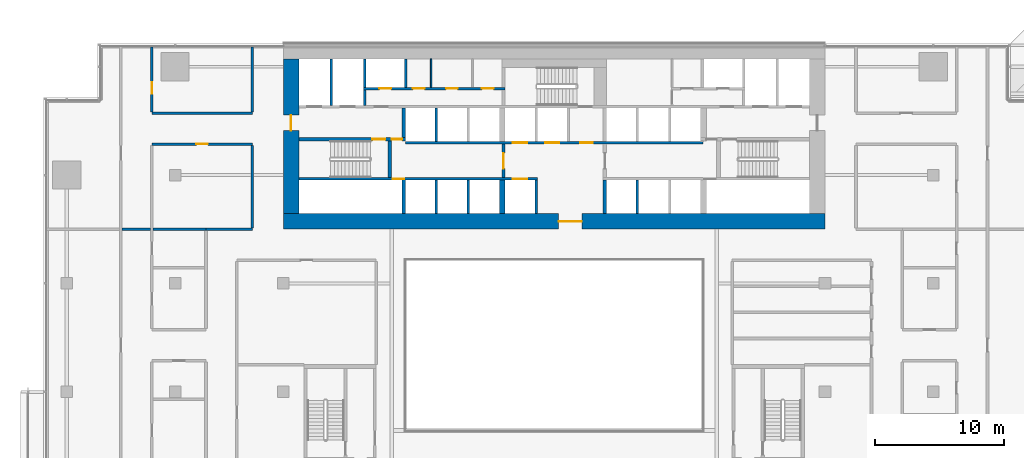
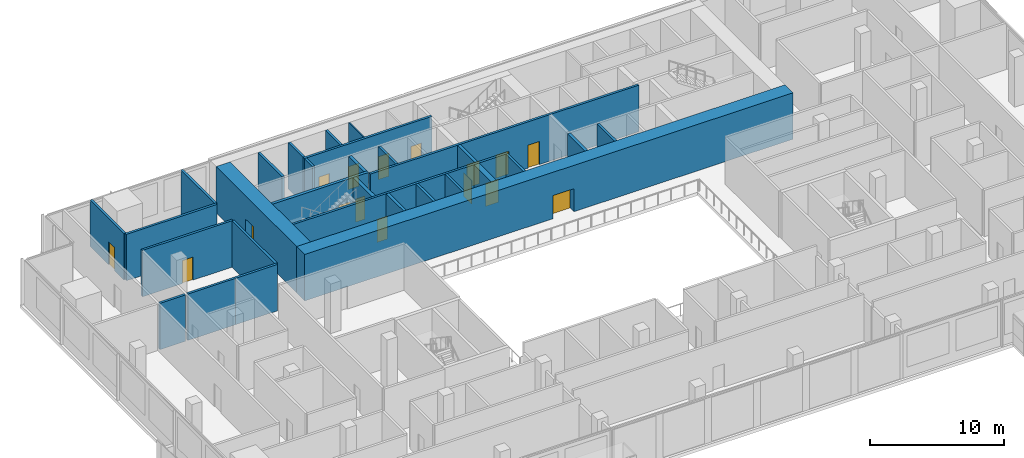
# One storey, part 16 of 23: 30 walls, 16 doors, 16 openings.
"""IFC4 building model written with IfcOpenShell, lengths in metres."""

from ifc_helpers import new_model, si_unit, direction, frame, frame_2d, origin, place, context, subcontext, project, spatial, rectangle, extrude, material, layer, layer_set, type_object, element, fill, save


model = new_model("IFC4")

# Units and contexts
model_context = context("Model", 3, precision=1e-05, world=origin(), true_north=direction((0.0, 1.0)))
body_context = subcontext(model_context, "Body", "Model", "MODEL_VIEW")
ifc_project = project(units=[si_unit("LENGTHUNIT", "METRE"), si_unit("AREAUNIT", "SQUARE_METRE"), si_unit("VOLUMEUNIT", "CUBIC_METRE"), si_unit("PLANEANGLEUNIT", "RADIAN"), si_unit("MASSUNIT", "GRAM", prefix="KILO")], contexts=[model_context])

# Site, building, storey
site_placement = place(None, origin())
site = spatial("IfcSite", under=ifc_project, at=site_placement, CompositionType="ELEMENT")
building_placement = place(site_placement, origin())
building = spatial("IfcBuilding", under=site, at=building_placement, Name="Saffron Gate Tower", CompositionType="ELEMENT")
storey_placement = place(building_placement, frame((0.0, 0.0, 32.699951171875)))
storey = spatial("IfcBuildingStorey", under=building, at=storey_placement, Name="L06", CompositionType="ELEMENT", Elevation=32.699951171875)

# Wall, opening, door
ifc_material_1 = material(Name="Concrete C70", Category="concrete")
ifc_layer_1 = layer(ifc_material_1, 1.199951171875)
ifc_layer_set_1 = layer_set([ifc_layer_1], Name="CW1 RC core wall 1200 C70")
wall_type_1 = type_object("IfcWallType", Name="CW1 RC core wall 1200 C70", PredefinedType="SOLIDWALL", material=ifc_layer_set_1)
wall_1_placement = place(storey_placement, frame((66.60009765625, 61.800048828125, 0.0), z_axis=(0.0, 0.0, 1.0), x_axis=(1.0, 0.0, 0.0)))
wall_1 = element("IfcWall", 1, at=wall_1_placement, inside=storey, type_object=wall_type_1, Name="Wall CW1-L06-1", PredefinedType="SOLIDWALL", context=body_context, shape_type="SweptSolid", body=[
    extrude(rectangle(XDim=42.0, YDim=1.199951171875, at=frame_2d((21.0, 0.0))), origin(), (0.0, 0.0, 1.0), 4.219970703125),
])
opening_1_placement = place(wall_1_placement, frame((21.35009765625, 0.0, 0.0)))
opening_1 = element("IfcOpeningElement", 2, at=opening_1_placement, cuts=wall_1, Name="Opening CR-09", PredefinedType="OPENING", context=body_context, shape_type="SweptSolid", body=[
    extrude(rectangle(XDim=1.800048828125, YDim=2.10009765625, at=frame_2d((0.89990234375, 1.050048828125))), frame((0.0, 0.60986328125, 0.0), z_axis=(0.0, -1.0, 0.0), x_axis=(1.0, 0.0, 0.0)), (0.0, 0.0, 1.0), 1.219970703125),
])
ifc_material_2 = material(Name="Steel fire door set", Category="steel")
door_type_1 = type_object("IfcDoorType", Name="CD1 Core entrance door 1800x2100 EI 120", OperationType="NOTDEFINED", PredefinedType="DOOR", material=ifc_material_2)
door_1_placement = place(opening_1_placement, origin())
door_1 = element("IfcDoor", 3, at=door_1_placement, inside=storey, type_object=door_type_1, Name="DOOR CR-09", OperationType="DOUBLE_DOOR_SINGLE_SWING", OverallHeight=2.10009765625, OverallWidth=1.800048828125, PredefinedType="DOOR", context=body_context, shape_type="SweptSolid", body=[
    extrude(rectangle(XDim=1.800048828125, YDim=2.10009765625, at=frame_2d((0.89990234375, 1.050048828125))), frame((0.0, 0.02490234375, 0.0), z_axis=(0.0, -1.0, 0.0), x_axis=(1.0, 0.0, 0.0)), (0.0, 0.0, 1.0), 0.050048828125),
])
fill(opening_1, door_1)

wall_2_placement = place(storey_placement, frame((67.199951171875, 62.39990234375, 0.0), z_axis=(0.0, 0.0, 1.0), x_axis=(0.0, 1.0, 0.0)))
wall_2 = element("IfcWall", 4, at=wall_2_placement, inside=storey, type_object=wall_type_1, Name="Wall CW1-L06-3", PredefinedType="SOLIDWALL", context=body_context, shape_type="SweptSolid", body=[
    extrude(rectangle(XDim=12.0, YDim=1.199951171875, at=frame_2d((6.0, 0.0))), origin(), (0.0, 0.0, 1.0), 4.219970703125),
])
opening_2_placement = place(wall_2_placement, frame((6.449951171875, 0.0, 0.0)))
opening_2 = element("IfcOpeningElement", 5, at=opening_2_placement, cuts=wall_2, Name="Opening CR-10", PredefinedType="OPENING", context=body_context, shape_type="SweptSolid", body=[
    extrude(rectangle(XDim=1.199951171875, YDim=2.10009765625, at=frame_2d((0.60009765625, 1.050048828125))), frame((0.0, 0.60986328125, 0.0), z_axis=(0.0, -1.0, 0.0), x_axis=(1.0, 0.0, 0.0)), (0.0, 0.0, 1.0), 1.219970703125),
])
door_type_2 = type_object("IfcDoorType", Name="CD7 Core entrance door 1200x2100 EI 120", OperationType="NOTDEFINED", PredefinedType="DOOR", material=ifc_material_2)
door_2_placement = place(opening_2_placement, origin())
door_2 = element("IfcDoor", 6, at=door_2_placement, inside=storey, type_object=door_type_2, Name="DOOR CR-10", OperationType="SINGLE_SWING_LEFT", OverallHeight=2.10009765625, OverallWidth=1.199951171875, PredefinedType="DOOR", context=body_context, shape_type="SweptSolid", body=[
    extrude(rectangle(XDim=1.199951171875, YDim=2.10009765625, at=frame_2d((0.60009765625, 1.050048828125))), frame((0.0, 0.02490234375, 0.0), z_axis=(0.0, -1.0, 0.0), x_axis=(1.0, 0.0, 0.0)), (0.0, 0.0, 1.0), 0.050048828125),
])
fill(opening_2, door_2)

# Walls
ifc_layer_2 = layer(ifc_material_1, 0.25)
ifc_layer_set_2 = layer_set([ifc_layer_2], Name="CW2 RC core wall 250 C70")
wall_type_2 = type_object("IfcWallType", Name="CW2 RC core wall 250 C70", PredefinedType="SOLIDWALL", material=ifc_layer_set_2)
for number, where, z_axis, x_axis, name in (
    (7, (75.925048828125, 62.39990234375, 0.0), (0.0, 0.0, 1.0), (0.0, 1.0, 0.0), "Wall CW2-L06-5"),
    (8, (91.52490234375, 62.39990234375, 0.0), (0.0, 0.0, 1.0), (0.0, 1.0, 0.0), "Wall CW2-L06-10"),
):
    element("IfcWall", number, at=place(storey_placement, frame(where, z_axis=z_axis, x_axis=x_axis)), inside=storey, type_object=wall_type_2, Name=name, PredefinedType="SOLIDWALL", context=body_context, shape_type="SweptSolid", body=[
        extrude(rectangle(XDim=2.60009765625, YDim=0.25, at=frame_2d((1.300048828125, 0.0))), origin(), (0.0, 0.0, 1.0), 4.219970703125),
    ])

# Wall, opening, door
wall_3_placement = place(storey_placement, frame((83.675048828125, 65.199951171875, 0.0), z_axis=(0.0, 0.0, 1.0), x_axis=(0.0, 1.0, 0.0)))
wall_3 = element("IfcWall", 9, at=wall_3_placement, inside=storey, type_object=wall_type_2, Name="Wall CW2-L06-17", PredefinedType="SOLIDWALL", context=body_context, shape_type="SweptSolid", body=[
    extrude(rectangle(XDim=2.60009765625, YDim=0.25, at=frame_2d((1.300048828125, 0.0))), origin(), (0.0, 0.0, 1.0), 4.219970703125),
])
opening_3_placement = place(wall_3_placement, frame((0.699951171875, 0.0, 0.0)))
opening_3 = element("IfcOpeningElement", 10, at=opening_3_placement, cuts=wall_3, Name="Opening CR-07", PredefinedType="OPENING", context=body_context, shape_type="SweptSolid", body=[
    extrude(rectangle(XDim=1.199951171875, YDim=2.10009765625, at=frame_2d((0.60009765625, 1.050048828125))), frame((0.0, 0.135009765625, 0.0), z_axis=(0.0, -1.0, 0.0), x_axis=(1.0, 0.0, 0.0)), (0.0, 0.0, 1.0), 0.27001953125),
])
door_type_3 = type_object("IfcDoorType", Name="CD3 Lobby door 1200x2100 EI 120", OperationType="NOTDEFINED", PredefinedType="DOOR", material=ifc_material_2)
door_3_placement = place(opening_3_placement, origin())
door_3 = element("IfcDoor", 11, at=door_3_placement, inside=storey, type_object=door_type_3, Name="DOOR CR-07", OperationType="SINGLE_SWING_RIGHT", OverallHeight=2.10009765625, OverallWidth=1.199951171875, PredefinedType="DOOR", context=body_context, shape_type="SweptSolid", body=[
    extrude(rectangle(XDim=1.199951171875, YDim=2.10009765625, at=frame_2d((0.60009765625, 1.050048828125))), frame((0.0, 0.02490234375, 0.0), z_axis=(0.0, -1.0, 0.0), x_axis=(1.0, 0.0, 0.0)), (0.0, 0.0, 1.0), 0.050048828125),
])
fill(opening_3, door_3)

# Wall, openings, doors
wall_4_placement = place(storey_placement, frame((67.800048828125, 68.175048828125, 0.0), z_axis=(0.0, 0.0, 1.0), x_axis=(1.0, 0.0, 0.0)))
wall_4 = element("IfcWall", 12, at=wall_4_placement, inside=storey, type_object=wall_type_2, Name="Wall CW2-L06-30", PredefinedType="SOLIDWALL", context=body_context, shape_type="SweptSolid", body=[
    extrude(rectangle(XDim=8.25, YDim=0.25, at=frame_2d((4.125, 0.0))), origin(), (0.0, 0.0, 1.0), 4.219970703125),
])
opening_4_placement = place(wall_4_placement, frame((5.699951171875, 0.0, 0.0)))
opening_4 = element("IfcOpeningElement", 13, at=opening_4_placement, cuts=wall_4, Name="Opening CR-15", PredefinedType="OPENING", context=body_context, shape_type="SweptSolid", body=[
    extrude(rectangle(XDim=1.0, YDim=2.10009765625, at=frame_2d((0.5, 1.050048828125))), frame((0.0, 0.135009765625, 0.0), z_axis=(0.0, -1.0, 0.0), x_axis=(1.0, 0.0, 0.0)), (0.0, 0.0, 1.0), 0.27001953125),
])
opening_5_placement = place(wall_4_placement, frame((7.199951171875, 0.0, 0.0)))
opening_5 = element("IfcOpeningElement", 14, at=opening_5_placement, cuts=wall_4, Name="Opening CR-06", PredefinedType="OPENING", context=body_context, shape_type="SweptSolid", body=[
    extrude(rectangle(XDim=0.800048828125, YDim=2.10009765625, at=frame_2d((0.39990234375, 1.050048828125))), frame((0.0, 0.135009765625, 0.0), z_axis=(0.0, -1.0, 0.0), x_axis=(1.0, 0.0, 0.0)), (0.0, 0.0, 1.0), 0.27001953125),
])
door_type_4 = type_object("IfcDoorType", Name="CD5 Stair door 1000x2100 EI 120", OperationType="NOTDEFINED", PredefinedType="DOOR", material=ifc_material_2)
door_4_placement = place(opening_4_placement, origin())
door_4 = element("IfcDoor", 15, at=door_4_placement, inside=storey, type_object=door_type_4, Name="DOOR CR-15", OperationType="SINGLE_SWING_RIGHT", OverallHeight=2.10009765625, OverallWidth=1.0, PredefinedType="DOOR", context=body_context, shape_type="SweptSolid", body=[
    extrude(rectangle(XDim=1.0, YDim=2.10009765625, at=frame_2d((0.5, 1.050048828125))), frame((0.0, 0.02490234375, 0.0), z_axis=(0.0, -1.0, 0.0), x_axis=(1.0, 0.0, 0.0)), (0.0, 0.0, 1.0), 0.050048828125),
])
fill(opening_4, door_4)
door_type_5 = type_object("IfcDoorType", Name="CD6 Lobby door 800x2100 EI 120", OperationType="NOTDEFINED", PredefinedType="DOOR", material=ifc_material_2)
door_5_placement = place(opening_5_placement, origin())
door_5 = element("IfcDoor", 16, at=door_5_placement, inside=storey, type_object=door_type_5, Name="DOOR CR-06", OperationType="SINGLE_SWING_LEFT", OverallHeight=2.10009765625, OverallWidth=0.800048828125, PredefinedType="DOOR", context=body_context, shape_type="SweptSolid", body=[
    extrude(rectangle(XDim=0.800048828125, YDim=2.10009765625, at=frame_2d((0.39990234375, 1.050048828125))), frame((0.0, 0.02490234375, 0.0), z_axis=(0.0, -1.0, 0.0), x_axis=(1.0, 0.0, 0.0)), (0.0, 0.0, 1.0), 0.050048828125),
])
fill(opening_5, door_5)

# Walls
wall_5_placement = place(storey_placement, frame((75.925048828125, 68.300048828125, 0.0), z_axis=(0.0, 0.0, 1.0), x_axis=(0.0, 1.0, 0.0)))
element("IfcWall", 17, at=wall_5_placement, inside=storey, type_object=wall_type_2, Name="Wall CW2-L06-32", PredefinedType="SOLIDWALL", context=body_context, shape_type="SweptSolid", body=[
    extrude(rectangle(XDim=2.300048828125, YDim=0.25, at=frame_2d((1.14990234375, 0.0))), origin(), (0.0, 0.0, 1.0), 4.219970703125),
])
ifc_layer_3 = layer(ifc_material_1, 0.199951171875)
ifc_layer_set_3 = layer_set([ifc_layer_3], Name="CW3 RC core wall 200 C70")
wall_type_3 = type_object("IfcWallType", Name="CW3 RC core wall 200 C70", PredefinedType="SOLIDWALL", material=ifc_layer_set_3)
for number, where, z_axis, x_axis, name in (
    (18, (78.449951171875, 62.39990234375, 0.0), (0.0, 0.0, 1.0), (0.0, 1.0, 0.0), "Wall CW3-L06-6"),
    (19, (80.949951171875, 62.39990234375, 0.0), (0.0, 0.0, 1.0), (0.0, 1.0, 0.0), "Wall CW3-L06-7"),
    (20, (86.199951171875, 62.39990234375, 0.0), (0.0, 0.0, 1.0), (0.0, 1.0, 0.0), "Wall CW3-L06-9"),
    (21, (94.050048828125, 62.39990234375, 0.0), (0.0, 0.0, 1.0), (0.0, 1.0, 0.0), "Wall CW3-L06-11"),
):
    element("IfcWall", number, at=place(storey_placement, frame(where, z_axis=z_axis, x_axis=x_axis)), inside=storey, type_object=wall_type_3, Name=name, PredefinedType="SOLIDWALL", context=body_context, shape_type="SweptSolid", body=[
        extrude(rectangle(XDim=2.60009765625, YDim=0.199951171875, at=frame_2d((1.300048828125, 0.0))), origin(), (0.0, 0.0, 1.0), 4.219970703125),
    ])

# Wall, openings, doors
wall_6_placement = place(storey_placement, frame((67.800048828125, 65.10009765625, 0.0), z_axis=(0.0, 0.0, 1.0), x_axis=(1.0, 0.0, 0.0)))
wall_6 = element("IfcWall", 22, at=wall_6_placement, inside=storey, type_object=wall_type_3, Name="Wall CW3-L06-14", PredefinedType="SOLIDWALL", context=body_context, shape_type="SweptSolid", body=[
    extrude(rectangle(XDim=18.5, YDim=0.199951171875, at=frame_2d((9.25, 0.0))), origin(), (0.0, 0.0, 1.0), 4.219970703125),
])
opening_6_placement = place(wall_6_placement, frame((7.27001953125, 0.0, 0.0)))
opening_6 = element("IfcOpeningElement", 23, at=opening_6_placement, cuts=wall_6, Name="Opening CR-49", PredefinedType="OPENING", context=body_context, shape_type="SweptSolid", body=[
    extrude(rectangle(XDim=0.89990234375, YDim=2.10009765625, at=frame_2d((0.449951171875, 1.050048828125))), frame((0.0, 0.10986328125, 0.0), z_axis=(0.0, -1.0, 0.0), x_axis=(1.0, 0.0, 0.0)), (0.0, 0.0, 1.0), 0.219970703125),
])
opening_7_placement = place(wall_6_placement, frame((16.60009765625, 0.0, 0.0)))
opening_7 = element("IfcOpeningElement", 24, at=opening_7_placement, cuts=wall_6, Name="Opening LD-SL3", PredefinedType="OPENING", context=body_context, shape_type="SweptSolid", body=[
    extrude(rectangle(XDim=1.10009765625, YDim=2.10009765625, at=frame_2d((0.550048828125, 1.050048828125))), frame((0.0, 0.10986328125, 0.0), z_axis=(0.0, -1.0, 0.0), x_axis=(1.0, 0.0, 0.0)), (0.0, 0.0, 1.0), 0.219970703125),
])
door_type_6 = type_object("IfcDoorType", Name="CD2 Riser door 900x2100 EI 60", OperationType="NOTDEFINED", PredefinedType="DOOR", material=ifc_material_2)
door_6_placement = place(opening_6_placement, origin())
door_6 = element("IfcDoor", 25, at=door_6_placement, inside=storey, type_object=door_type_6, Name="DOOR CR-49", OperationType="SINGLE_SWING_LEFT", OverallHeight=2.10009765625, OverallWidth=0.89990234375, PredefinedType="DOOR", context=body_context, shape_type="SweptSolid", body=[
    extrude(rectangle(XDim=0.89990234375, YDim=2.10009765625, at=frame_2d((0.449951171875, 1.050048828125))), frame((0.0, 0.02490234375, 0.0), z_axis=(0.0, -1.0, 0.0), x_axis=(1.0, 0.0, 0.0)), (0.0, 0.0, 1.0), 0.050048828125),
])
fill(opening_6, door_6)
ifc_material_3 = material(Name="Stainless steel landing door", Category="steel")
door_type_7 = type_object("IfcDoorType", Name="LD Lift landing door 1100x2100 EI 120", OperationType="SLIDING_TO_LEFT", PredefinedType="DOOR", material=ifc_material_3)
door_7_placement = place(opening_7_placement, origin())
door_7 = element("IfcDoor", 26, at=door_7_placement, inside=storey, type_object=door_type_7, Name="LANDING DOOR LD-SL3", OperationType="SLIDING_TO_LEFT", OverallHeight=2.10009765625, OverallWidth=1.10009765625, PredefinedType="DOOR", context=body_context, shape_type="SweptSolid", body=[
    extrude(rectangle(XDim=1.10009765625, YDim=2.10009765625, at=frame_2d((0.550048828125, 1.050048828125))), frame((0.0, 0.02490234375, 0.0), z_axis=(0.0, -1.0, 0.0), x_axis=(1.0, 0.0, 0.0)), (0.0, 0.0, 1.0), 0.050048828125),
])
fill(opening_7, door_7)

wall_7_placement = place(storey_placement, frame((76.050048828125, 67.89990234375, 0.0), z_axis=(0.0, 0.0, 1.0), x_axis=(1.0, 0.0, 0.0)))
wall_7 = element("IfcWall", 27, at=wall_7_placement, inside=storey, type_object=wall_type_3, Name="Wall CW3-L06-20", PredefinedType="SOLIDWALL", context=body_context, shape_type="SweptSolid", body=[
    extrude(rectangle(XDim=23.099853515625, YDim=0.199951171875, at=frame_2d((11.5498046875, 0.0))), origin(), (0.0, 0.0, 1.0), 4.219970703125),
])
opening_8_placement = place(wall_7_placement, frame((8.35009765625, 0.0, 0.0)))
opening_8 = element("IfcOpeningElement", 28, at=opening_8_placement, cuts=wall_7, Name="Opening LD-SL1", PredefinedType="OPENING", context=body_context, shape_type="SweptSolid", body=[
    extrude(rectangle(XDim=1.10009765625, YDim=2.10009765625, at=frame_2d((0.550048828125, 1.050048828125))), frame((0.0, 0.10986328125, 0.0), z_axis=(0.0, -1.0, 0.0), x_axis=(1.0, 0.0, 0.0)), (0.0, 0.0, 1.0), 0.219970703125),
])
opening_9_placement = place(wall_7_placement, frame((10.85009765625, 0.0, 0.0)))
opening_9 = element("IfcOpeningElement", 29, at=opening_9_placement, cuts=wall_7, Name="Opening LD-SL2", PredefinedType="OPENING", context=body_context, shape_type="SweptSolid", body=[
    extrude(rectangle(XDim=1.10009765625, YDim=2.10009765625, at=frame_2d((0.550048828125, 1.050048828125))), frame((0.0, 0.10986328125, 0.0), z_axis=(0.0, -1.0, 0.0), x_axis=(1.0, 0.0, 0.0)), (0.0, 0.0, 1.0), 0.219970703125),
])
opening_10_placement = place(wall_7_placement, frame((13.550048828125, 0.0, 0.0)))
opening_10 = element("IfcOpeningElement", 30, at=opening_10_placement, cuts=wall_7, Name="Opening CR-02", PredefinedType="OPENING", context=body_context, shape_type="SweptSolid", body=[
    extrude(rectangle(XDim=1.0, YDim=2.10009765625, at=frame_2d((0.5, 1.050048828125))), frame((0.0, 0.10986328125, 0.0), z_axis=(0.0, -1.0, 0.0), x_axis=(1.0, 0.0, 0.0)), (0.0, 0.0, 1.0), 0.219970703125),
])
door_type_8 = type_object("IfcDoorType", Name="CD4 Lobby door 1000x2100 EI 120", OperationType="NOTDEFINED", PredefinedType="DOOR", material=ifc_material_2)
door_8_placement = place(opening_10_placement, origin())
door_8 = element("IfcDoor", 31, at=door_8_placement, inside=storey, type_object=door_type_8, Name="DOOR CR-02", OperationType="SINGLE_SWING_LEFT", OverallHeight=2.10009765625, OverallWidth=1.0, PredefinedType="DOOR", context=body_context, shape_type="SweptSolid", body=[
    extrude(rectangle(XDim=1.0, YDim=2.10009765625, at=frame_2d((0.5, 1.050048828125))), frame((0.0, 0.02490234375, 0.0), z_axis=(0.0, -1.0, 0.0), x_axis=(1.0, 0.0, 0.0)), (0.0, 0.0, 1.0), 0.050048828125),
])
fill(opening_10, door_8)
door_9_placement = place(opening_8_placement, origin())
door_9 = element("IfcDoor", 32, at=door_9_placement, inside=storey, type_object=door_type_7, Name="LANDING DOOR LD-SL1", OperationType="SLIDING_TO_RIGHT", OverallHeight=2.10009765625, OverallWidth=1.10009765625, PredefinedType="DOOR", context=body_context, shape_type="SweptSolid", body=[
    extrude(rectangle(XDim=1.10009765625, YDim=2.10009765625, at=frame_2d((0.550048828125, 1.050048828125))), frame((0.0, 0.02490234375, 0.0), z_axis=(0.0, -1.0, 0.0), x_axis=(1.0, 0.0, 0.0)), (0.0, 0.0, 1.0), 0.050048828125),
])
fill(opening_8, door_9)
door_10_placement = place(opening_9_placement, origin())
door_10 = element("IfcDoor", 33, at=door_10_placement, inside=storey, type_object=door_type_7, Name="LANDING DOOR LD-SL2", OperationType="SLIDING_TO_RIGHT", OverallHeight=2.10009765625, OverallWidth=1.10009765625, PredefinedType="DOOR", context=body_context, shape_type="SweptSolid", body=[
    extrude(rectangle(XDim=1.10009765625, YDim=2.10009765625, at=frame_2d((0.550048828125, 1.050048828125))), frame((0.0, 0.02490234375, 0.0), z_axis=(0.0, -1.0, 0.0), x_axis=(1.0, 0.0, 0.0)), (0.0, 0.0, 1.0), 0.050048828125),
])
fill(opening_9, door_10)

# Walls
wall_8_placement = place(storey_placement, frame((78.449951171875, 68.0, 0.0), z_axis=(0.0, 0.0, 1.0), x_axis=(0.0, 1.0, 0.0)))
element("IfcWall", 34, at=wall_8_placement, inside=storey, type_object=wall_type_3, Name="Wall CW3-L06-21", PredefinedType="SOLIDWALL", context=body_context, shape_type="SweptSolid", body=[
    extrude(rectangle(XDim=2.60009765625, YDim=0.199951171875, at=frame_2d((1.300048828125, 0.0))), origin(), (0.0, 0.0, 1.0), 4.219970703125),
])
wall_9_placement = place(storey_placement, frame((70.300048828125, 70.800048828125, 0.0), z_axis=(0.0, 0.0, 1.0), x_axis=(0.0, 1.0, 0.0)))
element("IfcWall", 35, at=wall_9_placement, inside=storey, type_object=wall_type_3, Name="Wall CW3-L06-35", PredefinedType="SOLIDWALL", context=body_context, shape_type="SweptSolid", body=[
    extrude(rectangle(XDim=3.599853515625, YDim=0.199951171875, at=frame_2d((1.7998046875, 0.0))), origin(), (0.0, 0.0, 1.0), 4.219970703125),
])
wall_10_placement = place(storey_placement, frame((72.89990234375, 70.800048828125, 0.0), z_axis=(0.0, 0.0, 1.0), x_axis=(0.0, 1.0, 0.0)))
element("IfcWall", 36, at=wall_10_placement, inside=storey, type_object=wall_type_3, Name="Wall CW3-L06-36", PredefinedType="SOLIDWALL", context=body_context, shape_type="SweptSolid", body=[
    extrude(rectangle(XDim=1.199951171875, YDim=0.199951171875, at=frame_2d((0.60009765625, 0.0))), origin(), (0.0, 0.0, 1.0), 4.219970703125),
])

# Wall, openings, doors
wall_11_placement = place(storey_placement, frame((72.800048828125, 72.10009765625, 0.0), z_axis=(0.0, 0.0, 1.0), x_axis=(1.0, 0.0, 0.0)))
wall_11 = element("IfcWall", 37, at=wall_11_placement, inside=storey, type_object=wall_type_3, Name="Wall CW3-L06-42", PredefinedType="SOLIDWALL", context=body_context, shape_type="SweptSolid", body=[
    extrude(rectangle(XDim=11.0, YDim=0.199951171875, at=frame_2d((5.5, 0.0))), origin(), (0.0, 0.0, 1.0), 4.219970703125),
])
opening_11_placement = place(wall_11_placement, frame((1.25, 0.0, 0.0)))
opening_11 = element("IfcOpeningElement", 38, at=opening_11_placement, cuts=wall_11, Name="Opening CR-71", PredefinedType="OPENING", context=body_context, shape_type="SweptSolid", body=[
    extrude(rectangle(XDim=0.89990234375, YDim=2.10009765625, at=frame_2d((0.449951171875, 1.050048828125))), frame((0.0, 0.10986328125, 0.0), z_axis=(0.0, -1.0, 0.0), x_axis=(1.0, 0.0, 0.0)), (0.0, 0.0, 1.0), 0.219970703125),
])
opening_12_placement = place(wall_11_placement, frame((3.85009765625, 0.0, 0.0)))
opening_12 = element("IfcOpeningElement", 39, at=opening_12_placement, cuts=wall_11, Name="Opening CR-55", PredefinedType="OPENING", context=body_context, shape_type="SweptSolid", body=[
    extrude(rectangle(XDim=0.89990234375, YDim=2.10009765625, at=frame_2d((0.449951171875, 1.050048828125))), frame((0.0, 0.10986328125, 0.0), z_axis=(0.0, -1.0, 0.0), x_axis=(1.0, 0.0, 0.0)), (0.0, 0.0, 1.0), 0.219970703125),
])
opening_13_placement = place(wall_11_placement, frame((6.419921875, 0.0, 0.0)))
opening_13 = element("IfcOpeningElement", 40, at=opening_13_placement, cuts=wall_11, Name="Opening CR-58", PredefinedType="OPENING", context=body_context, shape_type="SweptSolid", body=[
    extrude(rectangle(XDim=0.89990234375, YDim=2.10009765625, at=frame_2d((0.449951171875, 1.050048828125))), frame((0.0, 0.10986328125, 0.0), z_axis=(0.0, -1.0, 0.0), x_axis=(1.0, 0.0, 0.0)), (0.0, 0.0, 1.0), 0.219970703125),
])
opening_14_placement = place(wall_11_placement, frame((9.195068359375, 0.0, 0.0)))
opening_14 = element("IfcOpeningElement", 41, at=opening_14_placement, cuts=wall_11, Name="Opening CR-59", PredefinedType="OPENING", context=body_context, shape_type="SweptSolid", body=[
    extrude(rectangle(XDim=0.89990234375, YDim=2.10009765625, at=frame_2d((0.449951171875, 1.050048828125))), frame((0.0, 0.10986328125, 0.0), z_axis=(0.0, -1.0, 0.0), x_axis=(1.0, 0.0, 0.0)), (0.0, 0.0, 1.0), 0.219970703125),
])
door_11_placement = place(opening_11_placement, origin())
door_11 = element("IfcDoor", 42, at=door_11_placement, inside=storey, type_object=door_type_6, Name="DOOR CR-71", OperationType="SINGLE_SWING_LEFT", OverallHeight=2.10009765625, OverallWidth=0.89990234375, PredefinedType="DOOR", context=body_context, shape_type="SweptSolid", body=[
    extrude(rectangle(XDim=0.89990234375, YDim=2.10009765625, at=frame_2d((0.449951171875, 1.050048828125))), frame((0.0, 0.02490234375, 0.0), z_axis=(0.0, -1.0, 0.0), x_axis=(1.0, 0.0, 0.0)), (0.0, 0.0, 1.0), 0.050048828125),
])
fill(opening_11, door_11)
door_type_9 = type_object("IfcDoorType", Name="CD9 Room door 900x2100 EI 60", OperationType="NOTDEFINED", PredefinedType="DOOR", material=ifc_material_2)
door_12_placement = place(opening_12_placement, origin())
door_12 = element("IfcDoor", 43, at=door_12_placement, inside=storey, type_object=door_type_9, Name="DOOR CR-55", OperationType="SINGLE_SWING_LEFT", OverallHeight=2.10009765625, OverallWidth=0.89990234375, PredefinedType="DOOR", context=body_context, shape_type="SweptSolid", body=[
    extrude(rectangle(XDim=0.89990234375, YDim=2.10009765625, at=frame_2d((0.449951171875, 1.050048828125))), frame((0.0, 0.02490234375, 0.0), z_axis=(0.0, -1.0, 0.0), x_axis=(1.0, 0.0, 0.0)), (0.0, 0.0, 1.0), 0.050048828125),
])
fill(opening_12, door_12)
door_13_placement = place(opening_13_placement, origin())
door_13 = element("IfcDoor", 44, at=door_13_placement, inside=storey, type_object=door_type_9, Name="DOOR CR-58", OperationType="SINGLE_SWING_LEFT", OverallHeight=2.10009765625, OverallWidth=0.89990234375, PredefinedType="DOOR", context=body_context, shape_type="SweptSolid", body=[
    extrude(rectangle(XDim=0.89990234375, YDim=2.10009765625, at=frame_2d((0.449951171875, 1.050048828125))), frame((0.0, 0.02490234375, 0.0), z_axis=(0.0, -1.0, 0.0), x_axis=(1.0, 0.0, 0.0)), (0.0, 0.0, 1.0), 0.050048828125),
])
fill(opening_13, door_13)
door_14_placement = place(opening_14_placement, origin())
door_14 = element("IfcDoor", 45, at=door_14_placement, inside=storey, type_object=door_type_9, Name="DOOR CR-59", OperationType="SINGLE_SWING_LEFT", OverallHeight=2.10009765625, OverallWidth=0.89990234375, PredefinedType="DOOR", context=body_context, shape_type="SweptSolid", body=[
    extrude(rectangle(XDim=0.89990234375, YDim=2.10009765625, at=frame_2d((0.449951171875, 1.050048828125))), frame((0.0, 0.02490234375, 0.0), z_axis=(0.0, -1.0, 0.0), x_axis=(1.0, 0.0, 0.0)), (0.0, 0.0, 1.0), 0.050048828125),
])
fill(opening_14, door_14)

# Walls
for number, where, z_axis, x_axis, name in (
    (46, (72.89990234375, 72.199951171875, 0.0), (0.0, 0.0, 1.0), (0.0, 1.0, 0.0), "Wall CW3-L06-44"),
    (47, (76.10009765625, 72.199951171875, 0.0), (0.0, 0.0, 1.0), (0.0, 1.0, 0.0), "Wall CW3-L06-45"),
):
    element("IfcWall", number, at=place(storey_placement, frame(where, z_axis=z_axis, x_axis=x_axis)), inside=storey, type_object=wall_type_3, Name=name, PredefinedType="SOLIDWALL", context=body_context, shape_type="SweptSolid", body=[
        extrude(rectangle(XDim=2.199951171875, YDim=0.199951171875, at=frame_2d((1.10009765625, 0.0))), origin(), (0.0, 0.0, 1.0), 4.219970703125),
    ])
ifc_layer_4 = layer(ifc_material_1, 0.449951171875)
ifc_layer_set_4 = layer_set([ifc_layer_4], Name="CW4 RC core wall 450 C70")
wall_type_4 = type_object("IfcWallType", Name="CW4 RC core wall 450 C70", PredefinedType="SOLIDWALL", material=ifc_layer_set_4)
wall_12_placement = place(storey_placement, frame((83.574951171875, 62.39990234375, 0.0), z_axis=(0.0, 0.0, 1.0), x_axis=(0.0, 1.0, 0.0)))
element("IfcWall", 48, at=wall_12_placement, inside=storey, type_object=wall_type_4, Name="Wall CW4-L06-8", PredefinedType="SOLIDWALL", context=body_context, shape_type="SweptSolid", body=[
    extrude(rectangle(XDim=2.60009765625, YDim=0.449951171875, at=frame_2d((1.300048828125, 0.0))), origin(), (0.0, 0.0, 1.0), 4.219970703125),
])
ifc_layer_5 = layer(ifc_material_1, 0.300048828125)
ifc_layer_set_5 = layer_set([ifc_layer_5], Name="CW5 RC core wall 300 C70")
wall_type_5 = type_object("IfcWallType", Name="CW5 RC core wall 300 C70", PredefinedType="SOLIDWALL", material=ifc_layer_set_5)
wall_13_placement = place(storey_placement, frame((74.85009765625, 65.199951171875, 0.0), z_axis=(0.0, 0.0, 1.0), x_axis=(0.0, 1.0, 0.0)))
element("IfcWall", 49, at=wall_13_placement, inside=storey, type_object=wall_type_5, Name="Wall CW5-L06-16", PredefinedType="SOLIDWALL", context=body_context, shape_type="SweptSolid", body=[
    extrude(rectangle(XDim=2.85009765625, YDim=0.300048828125, at=frame_2d((1.425048828125, 0.0))), origin(), (0.0, 0.0, 1.0), 4.219970703125),
])
ifc_material_4 = material(Name="Gypsum board partition on steel studs", Category="steel")
ifc_layer_6 = layer(ifc_material_4, 0.1201171875)
ifc_layer_set_6 = layer_set([ifc_layer_6], Name="CW8 Core partition 120")
wall_type_6 = type_object("IfcWallType", Name="CW8 Core partition 120", PredefinedType="PARTITIONING", material=ifc_layer_set_6)
wall_14_placement = place(storey_placement, frame((78.06005859375, 72.199951171875, 0.0), z_axis=(0.0, 0.0, 1.0), x_axis=(0.0, 1.0, 0.0)))
element("IfcWall", 50, at=wall_14_placement, inside=storey, type_object=wall_type_6, Name="Wall CW8-L06-46", PredefinedType="PARTITIONING", context=body_context, shape_type="SweptSolid", body=[
    extrude(rectangle(XDim=2.199951171875, YDim=0.1201171875, at=frame_2d((1.10009765625, 0.0))), origin(), (0.0, 0.0, 1.0), 4.219970703125),
])
ifc_material_5 = material(Name="Clay brick masonry, rendered", Category="masonry")
ifc_layer_7 = layer(ifc_material_5, 0.199951171875)
ifc_layer_set_7 = layer_set([ifc_layer_7], Name="PW3 Corridor wall 200")
wall_type_7 = type_object("IfcWallType", Name="PW3 Corridor wall 200", PredefinedType="PARTITIONING", material=ifc_layer_set_7)
wall_15_placement = place(storey_placement, frame((54.10009765625, 61.199951171875, 0.0), z_axis=(0.0, 0.0, 1.0), x_axis=(1.0, 0.0, 0.0)))
element("IfcWall", 51, at=wall_15_placement, inside=storey, type_object=wall_type_7, Name="Wall S2-40", PredefinedType="PARTITIONING", context=body_context, shape_type="SweptSolid", body=[
    extrude(rectangle(XDim=2.199951171875, YDim=0.199951171875, at=frame_2d((1.10009765625, 0.0))), origin(), (0.0, 0.0, 1.0), 4.219970703125),
])
wall_16_placement = place(storey_placement, frame((60.60009765625, 61.199951171875, 0.0), z_axis=(0.0, 0.0, 1.0), x_axis=(1.0, 0.0, 0.0)))
element("IfcWall", 52, at=wall_16_placement, inside=storey, type_object=wall_type_7, Name="Wall S2-41", PredefinedType="PARTITIONING", context=body_context, shape_type="SweptSolid", body=[
    extrude(rectangle(XDim=3.599853515625, YDim=0.199951171875, at=frame_2d((1.7998046875, 0.0))), origin(), (0.0, 0.0, 1.0), 4.219970703125),
])

# Wall, opening, door
wall_17_placement = place(storey_placement, frame((64.199951171875, 67.800048828125, 0.0), z_axis=(0.0, 0.0, 1.0), x_axis=(-1.0, 0.0, 0.0)))
wall_17 = element("IfcWall", 53, at=wall_17_placement, inside=storey, type_object=wall_type_7, Name="Wall S2-48", PredefinedType="PARTITIONING", context=body_context, shape_type="SweptSolid", body=[
    extrude(rectangle(XDim=7.800048828125, YDim=0.199951171875, at=frame_2d((3.89990234375, 0.0))), origin(), (0.0, 0.0, 1.0), 4.219970703125),
])
opening_15_placement = place(wall_17_placement, frame((3.449951171875, 0.0, 0.0)))
opening_15 = element("IfcOpeningElement", 54, at=opening_15_placement, cuts=wall_17, Name="Opening S2-22", PredefinedType="OPENING", context=body_context, shape_type="SweptSolid", body=[
    extrude(rectangle(XDim=0.89990234375, YDim=2.10009765625, at=frame_2d((0.449951171875, 1.050048828125))), frame((0.0, 0.10986328125, 0.0), z_axis=(0.0, -1.0, 0.0), x_axis=(1.0, 0.0, 0.0)), (0.0, 0.0, 1.0), 0.219970703125),
])
ifc_material_6 = material(Name="Timber door set", Category="wood")
door_type_10 = type_object("IfcDoorType", Name="RD1 Room door 900x2100", OperationType="NOTDEFINED", PredefinedType="DOOR", material=ifc_material_6)
door_15_placement = place(opening_15_placement, origin())
door_15 = element("IfcDoor", 55, at=door_15_placement, inside=storey, type_object=door_type_10, Name="Door S2-22", OperationType="SINGLE_SWING_RIGHT", OverallHeight=2.10009765625, OverallWidth=0.89990234375, PredefinedType="DOOR", context=body_context, shape_type="SweptSolid", body=[
    extrude(rectangle(XDim=0.89990234375, YDim=2.10009765625, at=frame_2d((0.449951171875, 1.050048828125))), frame((0.0, 0.02490234375, 0.0), z_axis=(0.0, -1.0, 0.0), x_axis=(1.0, 0.0, 0.0)), (0.0, 0.0, 1.0), 0.050048828125),
])
fill(opening_15, door_15)

# Wall
wall_18_placement = place(storey_placement, frame((56.39990234375, 70.199951171875, 0.0), z_axis=(0.0, 0.0, 1.0), x_axis=(1.0, 0.0, 0.0)))
element("IfcWall", 56, at=wall_18_placement, inside=storey, type_object=wall_type_7, Name="Wall S2-50", PredefinedType="PARTITIONING", context=body_context, shape_type="SweptSolid", body=[
    extrude(rectangle(XDim=7.800048828125, YDim=0.199951171875, at=frame_2d((3.89990234375, 0.0))), origin(), (0.0, 0.0, 1.0), 4.219970703125),
])

# Wall, opening, door
wall_19_placement = place(storey_placement, frame((56.39990234375, 75.320068359375, 0.0), z_axis=(0.0, 0.0, 1.0), x_axis=(0.0, -1.0, 0.0)))
wall_19 = element("IfcWall", 57, at=wall_19_placement, inside=storey, type_object=wall_type_7, Name="Wall S2-55", PredefinedType="PARTITIONING", context=body_context, shape_type="SweptSolid", body=[
    extrude(rectangle(XDim=5.02001953125, YDim=0.199951171875, at=frame_2d((2.510009765625, 0.0))), origin(), (0.0, 0.0, 1.0), 4.219970703125),
])
opening_16_placement = place(wall_19_placement, frame((2.719970703125, 0.0, 0.0)))
opening_16 = element("IfcOpeningElement", 58, at=opening_16_placement, cuts=wall_19, Name="Opening S2-23", PredefinedType="OPENING", context=body_context, shape_type="SweptSolid", body=[
    extrude(rectangle(XDim=0.89990234375, YDim=2.10009765625, at=frame_2d((0.449951171875, 1.050048828125))), frame((0.0, 0.10986328125, 0.0), z_axis=(0.0, -1.0, 0.0), x_axis=(1.0, 0.0, 0.0)), (0.0, 0.0, 1.0), 0.219970703125),
])
door_16_placement = place(opening_16_placement, origin())
door_16 = element("IfcDoor", 59, at=door_16_placement, inside=storey, type_object=door_type_10, Name="Door S2-23", OperationType="SINGLE_SWING_RIGHT", OverallHeight=2.10009765625, OverallWidth=0.89990234375, PredefinedType="DOOR", context=body_context, shape_type="SweptSolid", body=[
    extrude(rectangle(XDim=0.89990234375, YDim=2.10009765625, at=frame_2d((0.449951171875, 1.050048828125))), frame((0.0, 0.02490234375, 0.0), z_axis=(0.0, -1.0, 0.0), x_axis=(1.0, 0.0, 0.0)), (0.0, 0.0, 1.0), 0.050048828125),
])
fill(opening_16, door_16)

# Walls
wall_20_placement = place(storey_placement, frame((64.199951171875, 67.699951171875, 0.0), z_axis=(0.0, 0.0, 1.0), x_axis=(0.0, -1.0, 0.0)))
element("IfcWall", 60, at=wall_20_placement, inside=storey, type_object=wall_type_7, Name="Wall S2-61", PredefinedType="PARTITIONING", context=body_context, shape_type="SweptSolid", body=[
    extrude(rectangle(XDim=6.39990234375, YDim=0.199951171875, at=frame_2d((3.199951171875, 0.0))), origin(), (0.0, 0.0, 1.0), 4.219970703125),
])
wall_21_placement = place(storey_placement, frame((64.199951171875, 75.320068359375, 0.0), z_axis=(0.0, 0.0, 1.0), x_axis=(0.0, -1.0, 0.0)))
element("IfcWall", 61, at=wall_21_placement, inside=storey, type_object=wall_type_7, Name="Wall S2-62", PredefinedType="PARTITIONING", context=body_context, shape_type="SweptSolid", body=[
    extrude(rectangle(XDim=5.02001953125, YDim=0.199951171875, at=frame_2d((2.510009765625, 0.0))), origin(), (0.0, 0.0, 1.0), 4.219970703125),
])
ifc_layer_8 = layer(ifc_material_5, 0.199951171875)
ifc_layer_set_8 = layer_set([ifc_layer_8], Name="PW5 Room wall 200")
wall_type_8 = type_object("IfcWallType", Name="PW5 Room wall 200", PredefinedType="PARTITIONING", material=ifc_layer_set_8)
wall_22_placement = place(storey_placement, frame((56.5, 61.199951171875, 0.0), z_axis=(0.0, 0.0, 1.0), x_axis=(1.0, 0.0, 0.0)))
element("IfcWall", 62, at=wall_22_placement, inside=storey, type_object=wall_type_8, Name="Wall S2-45", PredefinedType="PARTITIONING", context=body_context, shape_type="SweptSolid", body=[
    extrude(rectangle(XDim=4.10009765625, YDim=0.199951171875, at=frame_2d((2.050048828125, 0.0))), origin(), (0.0, 0.0, 1.0), 4.219970703125),
])

save(model, "model.ifc")
